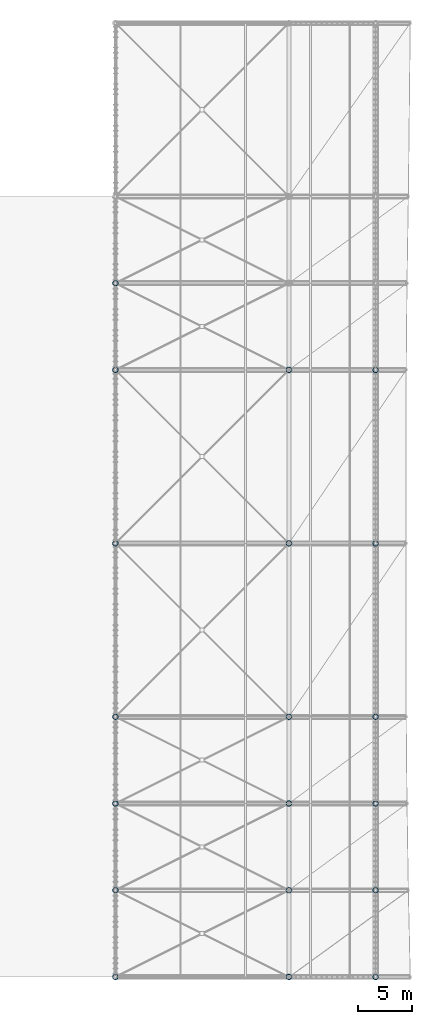
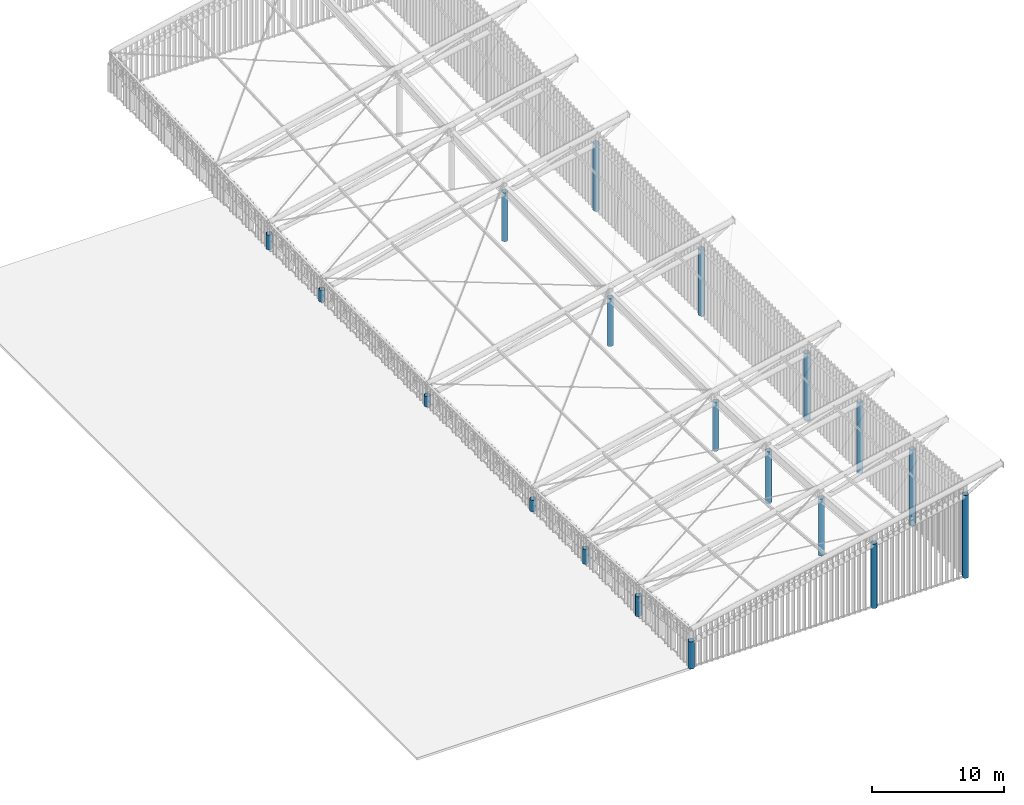
# One storey, part 1 of 25: 19 columns.
"""IFC4 building model written with IfcOpenShell, lengths in metres."""

from ifc_helpers import new_model, si_unit, direction, frame, origin, origin_2d, place, context, subcontext, project, spatial, hollow_circle, extrude, material, material_profile, profile_set, type_object, element, save


model = new_model("IFC4")

# Units and contexts
model_context = context("Model", 3, precision=1e-05, world=origin(), true_north=direction((0.0, 1.0)))
body_context = subcontext(model_context, "Body", "Model", "MODEL_VIEW")
ifc_project = project(units=[si_unit("LENGTHUNIT", "METRE"), si_unit("AREAUNIT", "SQUARE_METRE"), si_unit("VOLUMEUNIT", "CUBIC_METRE"), si_unit("PLANEANGLEUNIT", "RADIAN"), si_unit("MASSUNIT", "GRAM", prefix="KILO")], contexts=[model_context])

# Site, building, storey
site_placement = place(None, origin())
site = spatial("IfcSite", under=ifc_project, at=site_placement, CompositionType="ELEMENT")
building_placement = place(site_placement, origin())
building = spatial("IfcBuilding", under=site, at=building_placement, Name="Haebicheon Civic Stadium", CompositionType="ELEMENT")
storey_placement = place(building_placement, frame((0.0, 0.0, 31.199951171875)))
storey = spatial("IfcBuildingStorey", under=building, at=storey_placement, Name="RF", CompositionType="ELEMENT", Elevation=31.199951171875)

# Columns
ifc_material = material(Name="White painted steel SM490", Category="steel")
ifc_material_profile = material_profile(ifc_material, hollow_circle(Radius=0.25390625, WallThickness=0.02490234375, at=origin_2d()), Name="CHS-508.0x25.0")
ifc_profile_set = profile_set([ifc_material_profile], Name="White painted steel SM490")
column_type = type_object("IfcColumnType", Name="COL-ST-CHS508", PredefinedType="COLUMN", material=ifc_profile_set)
column_1_placement = place(storey_placement, frame((48.0, 48.0, 0.0), z_axis=(0.0, 0.0, 1.0), x_axis=(1.0, 0.0, 0.0)))
element("IfcColumn", 1, at=column_1_placement, inside=storey, type_object=column_type, material=ifc_profile_set, Name="Bowl/canopy support column 48/48 (RF)", PredefinedType="COLUMN", context=body_context, shape_type="SweptSolid", body=[
    extrude(hollow_circle(Radius=0.25390625, WallThickness=0.02490234375, at=origin_2d()), origin(), (0.0, 0.0, 1.0), 2.52099609375),
])
column_2_placement = place(storey_placement, frame((64.0, 48.0, 0.0), z_axis=(0.0, 0.0, 1.0), x_axis=(1.0, 0.0, 0.0)))
element("IfcColumn", 2, at=column_2_placement, inside=storey, type_object=column_type, material=ifc_profile_set, Name="Bowl/canopy support column 64/48 (RF)", PredefinedType="COLUMN", context=body_context, shape_type="SweptSolid", body=[
    extrude(hollow_circle(Radius=0.25390625, WallThickness=0.02490234375, at=origin_2d()), origin(), (0.0, 0.0, 1.0), 5.9609375),
])
column_3_placement = place(storey_placement, frame((72.0, 48.0, 0.0), z_axis=(0.0, 0.0, 1.0), x_axis=(1.0, 0.0, 0.0)))
element("IfcColumn", 3, at=column_3_placement, inside=storey, type_object=column_type, material=ifc_profile_set, Name="Bowl/canopy support column 72/48 (RF)", PredefinedType="COLUMN", context=body_context, shape_type="SweptSolid", body=[
    extrude(hollow_circle(Radius=0.25390625, WallThickness=0.02490234375, at=origin_2d()), origin(), (0.0, 0.0, 1.0), 7.68115234375),
])
column_4_placement = place(storey_placement, frame((48.0, 56.0, 0.0), z_axis=(0.0, 0.0, 1.0), x_axis=(1.0, 0.0, 0.0)))
element("IfcColumn", 4, at=column_4_placement, inside=storey, type_object=column_type, material=ifc_profile_set, Name="Bowl/canopy support column 48/56 (RF)", PredefinedType="COLUMN", context=body_context, shape_type="SweptSolid", body=[
    extrude(hollow_circle(Radius=0.25390625, WallThickness=0.02490234375, at=origin_2d()), origin(), (0.0, 0.0, 1.0), 1.84716796875),
])
column_5_placement = place(storey_placement, frame((64.0, 56.0, 0.0), z_axis=(0.0, 0.0, 1.0), x_axis=(1.0, 0.0, 0.0)))
element("IfcColumn", 5, at=column_5_placement, inside=storey, type_object=column_type, material=ifc_profile_set, Name="Bowl/canopy support column 64/56 (RF)", PredefinedType="COLUMN", context=body_context, shape_type="SweptSolid", body=[
    extrude(hollow_circle(Radius=0.25390625, WallThickness=0.02490234375, at=origin_2d()), origin(), (0.0, 0.0, 1.0), 5.287109375),
])
column_6_placement = place(storey_placement, frame((72.0, 56.0, 0.0), z_axis=(0.0, 0.0, 1.0), x_axis=(1.0, 0.0, 0.0)))
element("IfcColumn", 6, at=column_6_placement, inside=storey, type_object=column_type, material=ifc_profile_set, Name="Bowl/canopy support column 72/56 (RF)", PredefinedType="COLUMN", context=body_context, shape_type="SweptSolid", body=[
    extrude(hollow_circle(Radius=0.25390625, WallThickness=0.02490234375, at=origin_2d()), origin(), (0.0, 0.0, 1.0), 7.007080078125),
])
column_7_placement = place(storey_placement, frame((48.0, 64.0, 0.0), z_axis=(0.0, 0.0, 1.0), x_axis=(1.0, 0.0, 0.0)))
element("IfcColumn", 7, at=column_7_placement, inside=storey, type_object=column_type, material=ifc_profile_set, Name="Bowl/canopy support column 48/64 (RF)", PredefinedType="COLUMN", context=body_context, shape_type="SweptSolid", body=[
    extrude(hollow_circle(Radius=0.25390625, WallThickness=0.02490234375, at=origin_2d()), origin(), (0.0, 0.0, 1.0), 1.365966796875),
])
column_8_placement = place(storey_placement, frame((64.0, 64.0, 0.0), z_axis=(0.0, 0.0, 1.0), x_axis=(1.0, 0.0, 0.0)))
element("IfcColumn", 8, at=column_8_placement, inside=storey, type_object=column_type, material=ifc_profile_set, Name="Bowl/canopy support column 64/64 (RF)", PredefinedType="COLUMN", context=body_context, shape_type="SweptSolid", body=[
    extrude(hollow_circle(Radius=0.25390625, WallThickness=0.02490234375, at=origin_2d()), origin(), (0.0, 0.0, 1.0), 4.80615234375),
])
column_9_placement = place(storey_placement, frame((72.0, 64.0, 0.0), z_axis=(0.0, 0.0, 1.0), x_axis=(1.0, 0.0, 0.0)))
element("IfcColumn", 9, at=column_9_placement, inside=storey, type_object=column_type, material=ifc_profile_set, Name="Bowl/canopy support column 72/64 (RF)", PredefinedType="COLUMN", context=body_context, shape_type="SweptSolid", body=[
    extrude(hollow_circle(Radius=0.25390625, WallThickness=0.02490234375, at=origin_2d()), origin(), (0.0, 0.0, 1.0), 6.526123046875),
])
column_10_placement = place(storey_placement, frame((48.0, 72.0, 0.0), z_axis=(0.0, 0.0, 1.0), x_axis=(1.0, 0.0, 0.0)))
element("IfcColumn", 10, at=column_10_placement, inside=storey, type_object=column_type, material=ifc_profile_set, Name="Bowl/canopy support column 48/72 (RF)", PredefinedType="COLUMN", context=body_context, shape_type="SweptSolid", body=[
    extrude(hollow_circle(Radius=0.25390625, WallThickness=0.02490234375, at=origin_2d()), origin(), (0.0, 0.0, 1.0), 1.0771484375),
])
column_11_placement = place(storey_placement, frame((64.0, 72.0, 0.0), z_axis=(0.0, 0.0, 1.0), x_axis=(1.0, 0.0, 0.0)))
element("IfcColumn", 11, at=column_11_placement, inside=storey, type_object=column_type, material=ifc_profile_set, Name="Bowl/canopy support column 64/72 (RF)", PredefinedType="COLUMN", context=body_context, shape_type="SweptSolid", body=[
    extrude(hollow_circle(Radius=0.25390625, WallThickness=0.02490234375, at=origin_2d()), origin(), (0.0, 0.0, 1.0), 4.51708984375),
])
column_12_placement = place(storey_placement, frame((72.0, 72.0, 0.0), z_axis=(0.0, 0.0, 1.0), x_axis=(1.0, 0.0, 0.0)))
element("IfcColumn", 12, at=column_12_placement, inside=storey, type_object=column_type, material=ifc_profile_set, Name="Bowl/canopy support column 72/72 (RF)", PredefinedType="COLUMN", context=body_context, shape_type="SweptSolid", body=[
    extrude(hollow_circle(Radius=0.25390625, WallThickness=0.02490234375, at=origin_2d()), origin(), (0.0, 0.0, 1.0), 6.237060546875),
])
column_13_placement = place(storey_placement, frame((48.0, 88.0, 0.0), z_axis=(0.0, 0.0, 1.0), x_axis=(1.0, 0.0, 0.0)))
element("IfcColumn", 13, at=column_13_placement, inside=storey, type_object=column_type, material=ifc_profile_set, Name="Bowl/canopy support column 48/88 (RF)", PredefinedType="COLUMN", context=body_context, shape_type="SweptSolid", body=[
    extrude(hollow_circle(Radius=0.25390625, WallThickness=0.02490234375, at=origin_2d()), origin(), (0.0, 0.0, 1.0), 0.98095703125),
])
column_14_placement = place(storey_placement, frame((64.0, 88.0, 0.0), z_axis=(0.0, 0.0, 1.0), x_axis=(1.0, 0.0, 0.0)))
element("IfcColumn", 14, at=column_14_placement, inside=storey, type_object=column_type, material=ifc_profile_set, Name="Bowl/canopy support column 64/88 (RF)", PredefinedType="COLUMN", context=body_context, shape_type="SweptSolid", body=[
    extrude(hollow_circle(Radius=0.25390625, WallThickness=0.02490234375, at=origin_2d()), origin(), (0.0, 0.0, 1.0), 4.421142578125),
])
column_15_placement = place(storey_placement, frame((72.0, 88.0, 0.0), z_axis=(0.0, 0.0, 1.0), x_axis=(1.0, 0.0, 0.0)))
element("IfcColumn", 15, at=column_15_placement, inside=storey, type_object=column_type, material=ifc_profile_set, Name="Bowl/canopy support column 72/88 (RF)", PredefinedType="COLUMN", context=body_context, shape_type="SweptSolid", body=[
    extrude(hollow_circle(Radius=0.25390625, WallThickness=0.02490234375, at=origin_2d()), origin(), (0.0, 0.0, 1.0), 6.14111328125),
])
column_16_placement = place(storey_placement, frame((48.0, 104.0, 0.0), z_axis=(0.0, 0.0, 1.0), x_axis=(1.0, 0.0, 0.0)))
element("IfcColumn", 16, at=column_16_placement, inside=storey, type_object=column_type, material=ifc_profile_set, Name="Bowl/canopy support column 48/104 (RF)", PredefinedType="COLUMN", context=body_context, shape_type="SweptSolid", body=[
    extrude(hollow_circle(Radius=0.25390625, WallThickness=0.02490234375, at=origin_2d()), origin(), (0.0, 0.0, 1.0), 1.0771484375),
])
column_17_placement = place(storey_placement, frame((64.0, 104.0, 0.0), z_axis=(0.0, 0.0, 1.0), x_axis=(1.0, 0.0, 0.0)))
element("IfcColumn", 17, at=column_17_placement, inside=storey, type_object=column_type, material=ifc_profile_set, Name="Bowl/canopy support column 64/104 (RF)", PredefinedType="COLUMN", context=body_context, shape_type="SweptSolid", body=[
    extrude(hollow_circle(Radius=0.25390625, WallThickness=0.02490234375, at=origin_2d()), origin(), (0.0, 0.0, 1.0), 4.51708984375),
])
column_18_placement = place(storey_placement, frame((72.0, 104.0, 0.0), z_axis=(0.0, 0.0, 1.0), x_axis=(1.0, 0.0, 0.0)))
element("IfcColumn", 18, at=column_18_placement, inside=storey, type_object=column_type, material=ifc_profile_set, Name="Bowl/canopy support column 72/104 (RF)", PredefinedType="COLUMN", context=body_context, shape_type="SweptSolid", body=[
    extrude(hollow_circle(Radius=0.25390625, WallThickness=0.02490234375, at=origin_2d()), origin(), (0.0, 0.0, 1.0), 6.237060546875),
])
column_19_placement = place(storey_placement, frame((48.0, 112.0, 0.0), z_axis=(0.0, 0.0, 1.0), x_axis=(1.0, 0.0, 0.0)))
element("IfcColumn", 19, at=column_19_placement, inside=storey, type_object=column_type, material=ifc_profile_set, Name="Bowl/canopy support column 48/112 (RF)", PredefinedType="COLUMN", context=body_context, shape_type="SweptSolid", body=[
    extrude(hollow_circle(Radius=0.25390625, WallThickness=0.02490234375, at=origin_2d()), origin(), (0.0, 0.0, 1.0), 1.365966796875),
])

save(model, "model.ifc")
